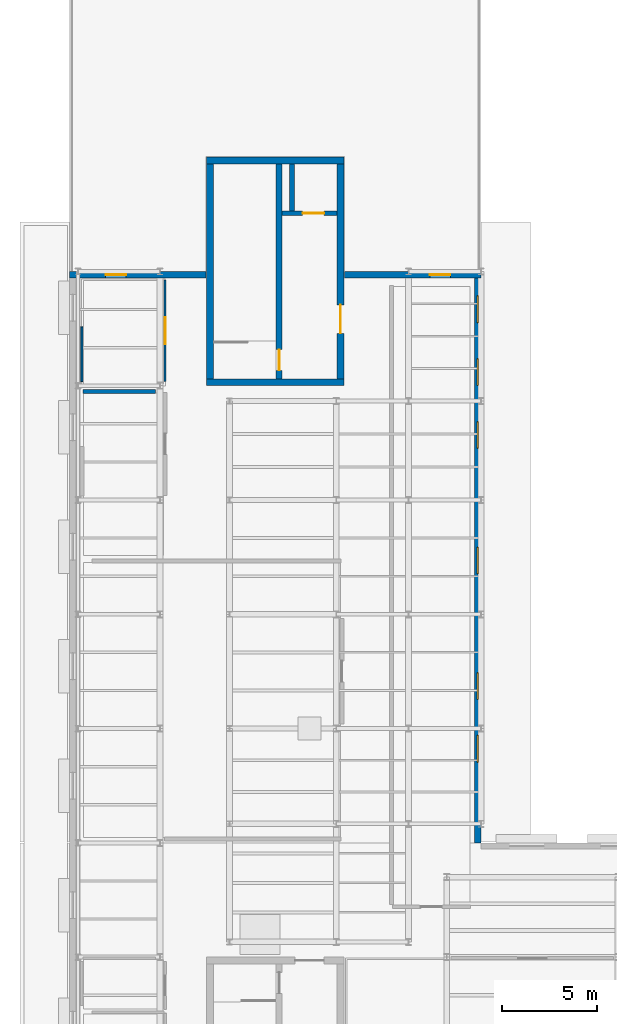
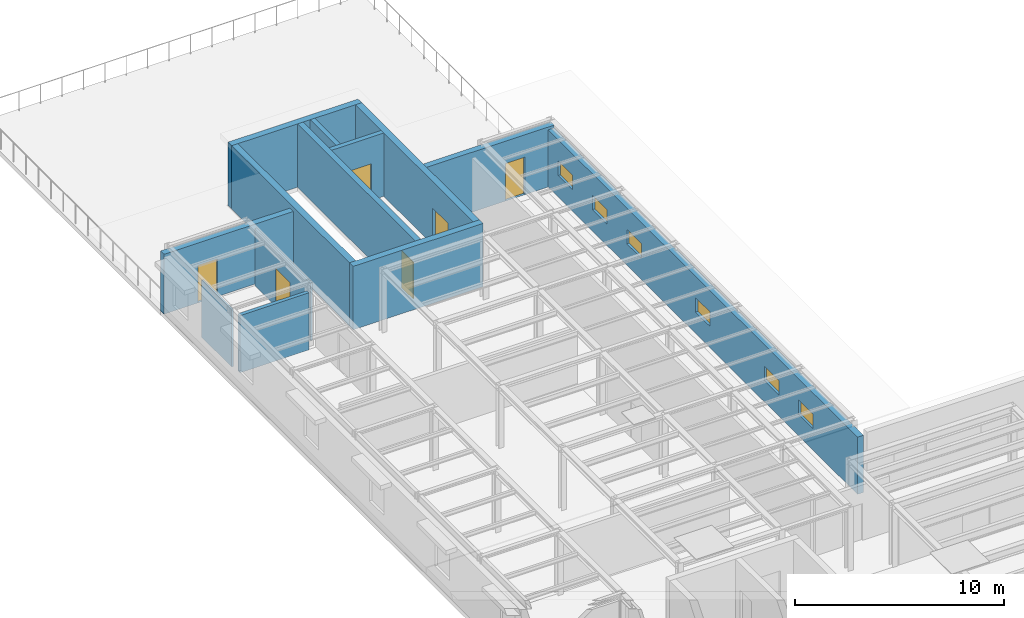
# One storey, part 9 of 10: 13 walls, 6 doors, 6 windows, 12 openings.
"""IFC4 building model written with IfcOpenShell, lengths in metres."""

from ifc_helpers import new_model, si_unit, direction, frame, frame_2d, origin, place, context, subcontext, project, spatial, rectangle, extrude, material, layer, layer_set, type_object, element, fill, save


model = new_model("IFC4")

# Units and contexts
model_context = context("Model", 3, precision=1e-05, world=origin(), true_north=direction((0.0, 1.0)))
body_context = subcontext(model_context, "Body", "Model", "MODEL_VIEW")
ifc_project = project(units=[si_unit("LENGTHUNIT", "METRE"), si_unit("AREAUNIT", "SQUARE_METRE"), si_unit("VOLUMEUNIT", "CUBIC_METRE"), si_unit("PLANEANGLEUNIT", "RADIAN"), si_unit("MASSUNIT", "GRAM", prefix="KILO")], contexts=[model_context])

# Site, building, storey
site_placement = place(None, origin())
site = spatial("IfcSite", under=ifc_project, at=site_placement, CompositionType="ELEMENT")
building_placement = place(site_placement, origin())
building = spatial("IfcBuilding", under=site, at=building_placement, Name="Kolvaren Corner Interchange", CompositionType="ELEMENT")
storey_placement = place(building_placement, frame((0.0, 0.0, 18.75)))
storey = spatial("IfcBuildingStorey", under=building, at=storey_placement, Name="L05", CompositionType="ELEMENT", Elevation=18.75)

# Walls
ifc_material_1 = material(Name="Concrete C35/45", Category="concrete")
ifc_layer_1 = layer(ifc_material_1, 0.35009765625)
ifc_layer_set_1 = layer_set([ifc_layer_1], Name="Concrete C35/45")
wall_type_1 = type_object("IfcWallType", Name="WL-CORE-350", PredefinedType="SHEAR", material=ifc_layer_set_1)
for number, where, z_axis, x_axis, name in (
    (1, (7.199951171875, 48.175048828125, 0.0), (0.0, 0.0, 1.0), (1.0, 0.0, 0.0), "Core C2 L05 South Shear Wall"),
    (2, (7.199951171875, 59.824951171875, 0.0), (0.0, 0.0, 1.0), (1.0, 0.0, 0.0), "Core C2 L05 North Shear Wall"),
):
    element("IfcWall", number, at=place(storey_placement, frame(where, z_axis=z_axis, x_axis=x_axis)), inside=storey, type_object=wall_type_1, Name=name, PredefinedType="SHEAR", context=body_context, shape_type="SweptSolid", body=[
        extrude(rectangle(XDim=7.199951171875, YDim=0.35009765625, at=frame_2d((3.60009765625, 0.0))), origin(), (0.0, 0.0, 1.0), 3.7099609375),
    ])
wall_1_placement = place(storey_placement, frame((7.375, 48.35009765625, 0.0), z_axis=(0.0, 0.0, 1.0), x_axis=(0.0, 1.0, 0.0)))
element("IfcWall", 3, at=wall_1_placement, inside=storey, type_object=wall_type_1, Name="Core C2 L05 West Shear Wall", PredefinedType="SHEAR", context=body_context, shape_type="SweptSolid", body=[
    extrude(rectangle(XDim=11.2998046875, YDim=0.35009765625, at=frame_2d((5.64990234375, 0.0))), origin(), (0.0, 0.0, 1.0), 3.7099609375),
])

# Wall, opening, door
wall_2_placement = place(storey_placement, frame((14.22509765625, 48.35009765625, 0.0), z_axis=(0.0, 0.0, 1.0), x_axis=(0.0, 1.0, 0.0)))
wall_2 = element("IfcWall", 4, at=wall_2_placement, inside=storey, type_object=wall_type_1, Name="Core C2 L05 East Shear Wall", PredefinedType="SHEAR", context=body_context, shape_type="SweptSolid", body=[
    extrude(rectangle(XDim=11.2998046875, YDim=0.35009765625, at=frame_2d((5.64990234375, 0.0))), origin(), (0.0, 0.0, 1.0), 3.7099609375),
])
opening_1_placement = place(wall_2_placement, frame((2.39990234375, 0.0, 0.0)))
opening_1 = element("IfcOpeningElement", 5, at=opening_1_placement, cuts=wall_2, Name="Opening D-F02", PredefinedType="OPENING", context=body_context, shape_type="SweptSolid", body=[
    extrude(rectangle(XDim=1.5, YDim=2.14990234375, at=frame_2d((0.75, 1.074951171875))), frame((0.0, 0.18505859375, 0.0), z_axis=(0.0, -1.0, 0.0), x_axis=(1.0, 0.0, 0.0)), (0.0, 0.0, 1.0), 0.3701171875),
])
ifc_material_2 = material(Name="Powder-coated Fire-rated Steel Sheet", Category="steel")
door_type_1 = type_object("IfcDoorType", Name="DT-FD-1500x2150", OperationType="NOTDEFINED", PredefinedType="DOOR", material=ifc_material_2)
door_1_placement = place(opening_1_placement, origin())
door_1 = element("IfcDoor", 6, at=door_1_placement, inside=storey, type_object=door_type_1, Name="Core C2 L05 Firefighting Lobby Corridor Exit Door", OperationType="DOUBLE_DOOR_SINGLE_SWING", OverallHeight=2.14990234375, OverallWidth=1.5, PredefinedType="DOOR", context=body_context, shape_type="SweptSolid", body=[
    extrude(rectangle(XDim=1.5, YDim=2.14990234375, at=frame_2d((0.75, 1.074951171875))), frame((0.0, 0.02490234375, 0.0), z_axis=(0.0, -1.0, 0.0), x_axis=(1.0, 0.0, 0.0)), (0.0, 0.0, 1.0), 0.050048828125),
])
fill(opening_1, door_1)

ifc_material_3 = material(Name="Concrete C35/45", Category="concrete")
ifc_layer_2 = layer(ifc_material_3, 0.31005859375)
ifc_layer_set_2 = layer_set([ifc_layer_2], Name="Concrete C35/45")
wall_type_2 = type_object("IfcWallType", Name="WL-STAIR-300", PredefinedType="SHEAR", material=ifc_layer_set_2)
wall_3_placement = place(storey_placement, frame((11.0, 48.35009765625, 0.0), z_axis=(0.0, 0.0, 1.0), x_axis=(0.0, 1.0, 0.0)))
wall_3 = element("IfcWall", 7, at=wall_3_placement, inside=storey, type_object=wall_type_2, Name="Core C2 L05 Firefighting Stairwell Divider Wall", PredefinedType="SHEAR", context=body_context, shape_type="SweptSolid", body=[
    extrude(rectangle(XDim=11.2998046875, YDim=0.31005859375, at=frame_2d((5.64990234375, 0.0))), origin(), (0.0, 0.0, 1.0), 3.7099609375),
])
opening_2_placement = place(wall_3_placement, frame((0.449951171875, 0.0, 0.0)))
opening_2 = element("IfcOpeningElement", 8, at=opening_2_placement, cuts=wall_3, Name="Opening D-F03", PredefinedType="OPENING", context=body_context, shape_type="SweptSolid", body=[
    extrude(rectangle(XDim=1.10009765625, YDim=2.14990234375, at=frame_2d((0.550048828125, 1.074951171875))), frame((0.0, 0.1650390625, 0.0), z_axis=(0.0, -1.0, 0.0), x_axis=(1.0, 0.0, 0.0)), (0.0, 0.0, 1.0), 0.330078125),
])
ifc_material_4 = material(Name="Powder-coated Fire-rated Steel Sheet", Category="steel")
door_type_2 = type_object("IfcDoorType", Name="DT-FD-1100x2150", OperationType="NOTDEFINED", PredefinedType="DOOR", material=ifc_material_4)
door_2_placement = place(opening_2_placement, origin())
door_2 = element("IfcDoor", 9, at=door_2_placement, inside=storey, type_object=door_type_2, Name="Core C2 Northwest Firefighting Stair L05 Protected Exit Door", OperationType="SINGLE_SWING_LEFT", OverallHeight=2.14990234375, OverallWidth=1.10009765625, PredefinedType="DOOR", context=body_context, shape_type="SweptSolid", body=[
    extrude(rectangle(XDim=1.10009765625, YDim=2.14990234375, at=frame_2d((0.550048828125, 1.074951171875))), frame((0.0, 0.02490234375, 0.0), z_axis=(0.0, -1.0, 0.0), x_axis=(1.0, 0.0, 0.0)), (0.0, 0.0, 1.0), 0.050048828125),
])
fill(opening_2, door_2)

# Wall, openings, windows
ifc_material_5 = material(Name="Cream Architectural Terracotta Rainscreen Assembly", Category="masonry")
ifc_layer_3 = layer(ifc_material_5, 0.330078125)
ifc_layer_set_3 = layer_set([ifc_layer_3], Name="Cream Architectural Terracotta Rainscreen Assembly")
wall_type_3 = type_object("IfcWallType", Name="WT-EXT-TC320", PredefinedType="SOLIDWALL", material=ifc_layer_set_3)
wall_4_placement = place(storey_placement, frame((21.429931640625, 24.0, 0.0), z_axis=(0.0, 0.0, 1.0), x_axis=(0.0, 1.0, 0.0)))
wall_4 = element("IfcWall", 10, at=wall_4_placement, inside=storey, type_object=wall_type_3, Name="Level 05 Control Plant East Facade Wall 0055", PredefinedType="SOLIDWALL", context=body_context, shape_type="SweptSolid", body=[
    extrude(rectangle(XDim=29.659912109375, YDim=0.330078125, at=frame_2d((14.830078125, 0.0))), origin(), (0.0, 0.0, 1.0), 3.344970703125),
])
opening_3_placement = place(wall_4_placement, frame((4.243408203125, 0.0, 1.25)))
opening_3 = element("IfcOpeningElement", 11, at=opening_3_placement, cuts=wall_4, Name="Opening W-18", PredefinedType="OPENING", context=body_context, shape_type="SweptSolid", body=[
    extrude(rectangle(XDim=1.39990234375, YDim=0.85009765625, at=frame_2d((0.699951171875, 0.425048828125))), frame((0.0, 0.175048828125, 0.0), z_axis=(0.0, -1.0, 0.0), x_axis=(1.0, 0.0, 0.0)), (0.0, 0.0, 1.0), 0.35009765625),
])
opening_4_placement = place(wall_4_placement, frame((7.538818359375, 0.0, 1.25)))
opening_4 = element("IfcOpeningElement", 12, at=opening_4_placement, cuts=wall_4, Name="Opening W-18", PredefinedType="OPENING", context=body_context, shape_type="SweptSolid", body=[
    extrude(rectangle(XDim=1.39990234375, YDim=0.85009765625, at=frame_2d((0.699951171875, 0.425048828125))), frame((0.0, 0.175048828125, 0.0), z_axis=(0.0, -1.0, 0.0), x_axis=(1.0, 0.0, 0.0)), (0.0, 0.0, 1.0), 0.35009765625),
])
opening_5_placement = place(wall_4_placement, frame((14.1298828125, 0.0, 1.25)))
opening_5 = element("IfcOpeningElement", 13, at=opening_5_placement, cuts=wall_4, Name="Opening W-18", PredefinedType="OPENING", context=body_context, shape_type="SweptSolid", body=[
    extrude(rectangle(XDim=1.39990234375, YDim=0.85009765625, at=frame_2d((0.699951171875, 0.425048828125))), frame((0.0, 0.175048828125, 0.0), z_axis=(0.0, -1.0, 0.0), x_axis=(1.0, 0.0, 0.0)), (0.0, 0.0, 1.0), 0.35009765625),
])
opening_6_placement = place(wall_4_placement, frame((20.72119140625, 0.0, 1.25)))
opening_6 = element("IfcOpeningElement", 14, at=opening_6_placement, cuts=wall_4, Name="Opening W-18", PredefinedType="OPENING", context=body_context, shape_type="SweptSolid", body=[
    extrude(rectangle(XDim=1.39990234375, YDim=0.85009765625, at=frame_2d((0.699951171875, 0.425048828125))), frame((0.0, 0.175048828125, 0.0), z_axis=(0.0, -1.0, 0.0), x_axis=(1.0, 0.0, 0.0)), (0.0, 0.0, 1.0), 0.35009765625),
])
opening_7_placement = place(wall_4_placement, frame((24.0166015625, 0.0, 1.25)))
opening_7 = element("IfcOpeningElement", 15, at=opening_7_placement, cuts=wall_4, Name="Opening W-18", PredefinedType="OPENING", context=body_context, shape_type="SweptSolid", body=[
    extrude(rectangle(XDim=1.39990234375, YDim=0.85009765625, at=frame_2d((0.699951171875, 0.425048828125))), frame((0.0, 0.175048828125, 0.0), z_axis=(0.0, -1.0, 0.0), x_axis=(1.0, 0.0, 0.0)), (0.0, 0.0, 1.0), 0.35009765625),
])
opening_8_placement = place(wall_4_placement, frame((27.312255859375, 0.0, 1.25)))
opening_8 = element("IfcOpeningElement", 16, at=opening_8_placement, cuts=wall_4, Name="Opening W-18", PredefinedType="OPENING", context=body_context, shape_type="SweptSolid", body=[
    extrude(rectangle(XDim=1.39990234375, YDim=0.85009765625, at=frame_2d((0.699951171875, 0.425048828125))), frame((0.0, 0.175048828125, 0.0), z_axis=(0.0, -1.0, 0.0), x_axis=(1.0, 0.0, 0.0)), (0.0, 0.0, 1.0), 0.35009765625),
])
ifc_material_6 = material(Name="Thermally Broken Aluminium and Solar-Control Double Glazing", Category="aluminium")
window_type = type_object("IfcWindowType", Name="WT-RIB-1400x850", PartitioningType="SINGLE_PANEL", PredefinedType="WINDOW", material=ifc_material_6)
window_1_placement = place(opening_3_placement, origin())
window_1 = element("IfcWindow", 17, at=window_1_placement, inside=storey, type_object=window_type, Name="L05 Level 05 Control Plant East Facade Window 0128", OverallHeight=0.85009765625, OverallWidth=1.39990234375, PartitioningType="SINGLE_PANEL", PredefinedType="WINDOW", context=body_context, shape_type="SweptSolid", body=[
    extrude(rectangle(XDim=1.39990234375, YDim=0.85009765625, at=frame_2d((0.699951171875, 0.425048828125))), frame((0.0, 0.030029296875, 0.0), z_axis=(0.0, -1.0, 0.0), x_axis=(1.0, 0.0, 0.0)), (0.0, 0.0, 1.0), 0.06005859375),
])
fill(opening_3, window_1)
window_2_placement = place(opening_4_placement, origin())
window_2 = element("IfcWindow", 18, at=window_2_placement, inside=storey, type_object=window_type, Name="L05 Level 05 Control Plant East Facade Window 0129", OverallHeight=0.85009765625, OverallWidth=1.39990234375, PartitioningType="SINGLE_PANEL", PredefinedType="WINDOW", context=body_context, shape_type="SweptSolid", body=[
    extrude(rectangle(XDim=1.39990234375, YDim=0.85009765625, at=frame_2d((0.699951171875, 0.425048828125))), frame((0.0, 0.030029296875, 0.0), z_axis=(0.0, -1.0, 0.0), x_axis=(1.0, 0.0, 0.0)), (0.0, 0.0, 1.0), 0.06005859375),
])
fill(opening_4, window_2)
window_3_placement = place(opening_5_placement, origin())
window_3 = element("IfcWindow", 19, at=window_3_placement, inside=storey, type_object=window_type, Name="L05 Level 05 Control Plant East Facade Window 0130", OverallHeight=0.85009765625, OverallWidth=1.39990234375, PartitioningType="SINGLE_PANEL", PredefinedType="WINDOW", context=body_context, shape_type="SweptSolid", body=[
    extrude(rectangle(XDim=1.39990234375, YDim=0.85009765625, at=frame_2d((0.699951171875, 0.425048828125))), frame((0.0, 0.030029296875, 0.0), z_axis=(0.0, -1.0, 0.0), x_axis=(1.0, 0.0, 0.0)), (0.0, 0.0, 1.0), 0.06005859375),
])
fill(opening_5, window_3)
window_4_placement = place(opening_6_placement, origin())
window_4 = element("IfcWindow", 20, at=window_4_placement, inside=storey, type_object=window_type, Name="L05 Level 05 Control Plant East Facade Window 0131", OverallHeight=0.85009765625, OverallWidth=1.39990234375, PartitioningType="SINGLE_PANEL", PredefinedType="WINDOW", context=body_context, shape_type="SweptSolid", body=[
    extrude(rectangle(XDim=1.39990234375, YDim=0.85009765625, at=frame_2d((0.699951171875, 0.425048828125))), frame((0.0, 0.030029296875, 0.0), z_axis=(0.0, -1.0, 0.0), x_axis=(1.0, 0.0, 0.0)), (0.0, 0.0, 1.0), 0.06005859375),
])
fill(opening_6, window_4)
window_5_placement = place(opening_7_placement, origin())
window_5 = element("IfcWindow", 21, at=window_5_placement, inside=storey, type_object=window_type, Name="L05 Level 05 Control Plant East Facade Window 0132", OverallHeight=0.85009765625, OverallWidth=1.39990234375, PartitioningType="SINGLE_PANEL", PredefinedType="WINDOW", context=body_context, shape_type="SweptSolid", body=[
    extrude(rectangle(XDim=1.39990234375, YDim=0.85009765625, at=frame_2d((0.699951171875, 0.425048828125))), frame((0.0, 0.030029296875, 0.0), z_axis=(0.0, -1.0, 0.0), x_axis=(1.0, 0.0, 0.0)), (0.0, 0.0, 1.0), 0.06005859375),
])
fill(opening_7, window_5)
window_6_placement = place(opening_8_placement, origin())
window_6 = element("IfcWindow", 22, at=window_6_placement, inside=storey, type_object=window_type, Name="L05 Level 05 Control Plant East Facade Window 0133", OverallHeight=0.85009765625, OverallWidth=1.39990234375, PartitioningType="SINGLE_PANEL", PredefinedType="WINDOW", context=body_context, shape_type="SweptSolid", body=[
    extrude(rectangle(XDim=1.39990234375, YDim=0.85009765625, at=frame_2d((0.699951171875, 0.425048828125))), frame((0.0, 0.030029296875, 0.0), z_axis=(0.0, -1.0, 0.0), x_axis=(1.0, 0.0, 0.0)), (0.0, 0.0, 1.0), 0.06005859375),
])
fill(opening_8, window_6)

# Wall, opening, door
wall_5_placement = place(storey_placement, frame((21.60009765625, 53.830078125, 0.0), z_axis=(0.0, 0.0, 1.0), x_axis=(-1.0, 0.0, 0.0)))
wall_5 = element("IfcWall", 23, at=wall_5_placement, inside=storey, type_object=wall_type_3, Name="Level 05 East Terrace Return Wall 0056", PredefinedType="SOLIDWALL", context=body_context, shape_type="SweptSolid", body=[
    extrude(rectangle(XDim=7.16015625, YDim=0.330078125, at=frame_2d((3.580078125, 0.0))), origin(), (0.0, 0.0, 1.0), 3.5048828125),
])
opening_9_placement = place(wall_5_placement, frame((1.60791015625, 0.0, 0.0)))
opening_9 = element("IfcOpeningElement", 24, at=opening_9_placement, cuts=wall_5, Name="Opening D-E05", PredefinedType="OPENING", context=body_context, shape_type="SweptSolid", body=[
    extrude(rectangle(XDim=1.080078125, YDim=2.199951171875, at=frame_2d((0.5400390625, 1.10009765625))), frame((0.0, 0.175048828125, 0.0), z_axis=(0.0, -1.0, 0.0), x_axis=(1.0, 0.0, 0.0)), (0.0, 0.0, 1.0), 0.35009765625),
])
ifc_material_7 = material(Name="Thermally Broken Aluminium Glazed Terrace Door", Category="aluminium")
door_type_3 = type_object("IfcDoorType", Name="DT-TERR-SGL1080", OperationType="NOTDEFINED", PredefinedType="DOOR", material=ifc_material_7)
door_3_placement = place(opening_9_placement, origin())
door_3 = element("IfcDoor", 25, at=door_3_placement, inside=storey, type_object=door_type_3, Name="L05 Observation Terrace Corridor Door 008", OperationType="SINGLE_SWING_RIGHT", OverallHeight=2.199951171875, OverallWidth=1.080078125, PredefinedType="DOOR", context=body_context, shape_type="SweptSolid", body=[
    extrude(rectangle(XDim=1.080078125, YDim=2.199951171875, at=frame_2d((0.5400390625, 1.10009765625))), frame((0.0, 0.02490234375, 0.0), z_axis=(0.0, -1.0, 0.0), x_axis=(1.0, 0.0, 0.0)), (0.0, 0.0, 1.0), 0.050048828125),
])
fill(opening_9, door_3)

wall_6_placement = place(storey_placement, frame((7.159912109375, 53.830078125, 0.0), z_axis=(0.0, 0.0, 1.0), x_axis=(-1.0, 0.0, 0.0)))
wall_6 = element("IfcWall", 26, at=wall_6_placement, inside=storey, type_object=wall_type_3, Name="Level 05 Observation Foyer Facade Wall 0057", PredefinedType="SOLIDWALL", context=body_context, shape_type="SweptSolid", body=[
    extrude(rectangle(XDim=7.159912109375, YDim=0.330078125, at=frame_2d((3.580078125, 0.0))), origin(), (0.0, 0.0, 1.0), 3.5048828125),
])
opening_10_placement = place(wall_6_placement, frame((4.185546875, 0.0, 0.0)))
opening_10 = element("IfcOpeningElement", 27, at=opening_10_placement, cuts=wall_6, Name="Opening D-E05", PredefinedType="OPENING", context=body_context, shape_type="SweptSolid", body=[
    extrude(rectangle(XDim=1.080078125, YDim=2.199951171875, at=frame_2d((0.5400390625, 1.10009765625))), frame((0.0, 0.175048828125, 0.0), z_axis=(0.0, -1.0, 0.0), x_axis=(1.0, 0.0, 0.0)), (0.0, 0.0, 1.0), 0.35009765625),
])
door_4_placement = place(opening_10_placement, origin())
door_4 = element("IfcDoor", 28, at=door_4_placement, inside=storey, type_object=door_type_3, Name="L05 Observation Terrace Foyer Door 009", OperationType="SINGLE_SWING_LEFT", OverallHeight=2.199951171875, OverallWidth=1.080078125, PredefinedType="DOOR", context=body_context, shape_type="SweptSolid", body=[
    extrude(rectangle(XDim=1.080078125, YDim=2.199951171875, at=frame_2d((0.5400390625, 1.10009765625))), frame((0.0, 0.02490234375, 0.0), z_axis=(0.0, -1.0, 0.0), x_axis=(1.0, 0.0, 0.0)), (0.0, 0.0, 1.0), 0.050048828125),
])
fill(opening_10, door_4)

# Wall
ifc_material_8 = material(Name="Fire-Rated Gypsum Block Partition")
ifc_layer_4 = layer(ifc_material_8, 0.199951171875)
ifc_layer_set_4 = layer_set([ifc_layer_4], Name="Fire-Rated Gypsum Block Partition")
wall_type_4 = type_object("IfcWallType", Name="WT-PART-FR200", PredefinedType="PARTITIONING", material=ifc_layer_set_4)
wall_7_placement = place(storey_placement, frame((4.52001953125, 47.699951171875, 0.0), z_axis=(0.0, 0.0, 1.0), x_axis=(-1.0, 0.0, 0.0)))
element("IfcWall", 29, at=wall_7_placement, inside=storey, type_object=wall_type_4, Name="L05 Control Room Redundant UPS Room Partition Wall 198", PredefinedType="PARTITIONING", context=body_context, shape_type="SweptSolid", body=[
    extrude(rectangle(XDim=3.820068359375, YDim=0.199951171875, at=frame_2d((1.91015625, 0.0))), origin(), (0.0, 0.0, 1.0), 3.344970703125),
])

# Wall, opening, door
ifc_material_9 = material(Name="Framed Acoustic Glazed Office Screen")
ifc_layer_5 = layer(ifc_material_9, 0.10009765625)
ifc_layer_set_5 = layer_set([ifc_layer_5], Name="Framed Acoustic Glazed Office Screen")
wall_type_5 = type_object("IfcWallType", Name="WT-PART-GL100", PredefinedType="MOVABLE", material=ifc_layer_set_5)
wall_8_placement = place(storey_placement, frame((5.02001953125, 48.22998046875, 0.0), z_axis=(0.0, 0.0, 1.0), x_axis=(0.0, 1.0, 0.0)))
wall_8 = element("IfcWall", 30, at=wall_8_placement, inside=storey, type_object=wall_type_5, Name="L05 Observation Terrace Foyer Partition Wall 200", PredefinedType="MOVABLE", context=body_context, shape_type="SweptSolid", body=[
    extrude(rectangle(XDim=5.320068359375, YDim=0.10009765625, at=frame_2d((2.66015625, 0.0))), origin(), (0.0, 0.0, 1.0), 3.344970703125),
])
opening_11_placement = place(wall_8_placement, frame((1.9599609375, 0.0, 0.0)))
opening_11 = element("IfcOpeningElement", 31, at=opening_11_placement, cuts=wall_8, Name="Opening D-I06", PredefinedType="OPENING", context=body_context, shape_type="SweptSolid", body=[
    extrude(rectangle(XDim=1.39990234375, YDim=2.199951171875, at=frame_2d((0.699951171875, 1.10009765625))), frame((0.0, 0.06005859375, 0.0), z_axis=(0.0, -1.0, 0.0), x_axis=(1.0, 0.0, 0.0)), (0.0, 0.0, 1.0), 0.1201171875),
])
ifc_material_10 = material(Name="Anodised Aluminium Glazed Suite Door", Category="aluminium")
door_type_4 = type_object("IfcDoorType", Name="DT-INT-1400x2200", OperationType="NOTDEFINED", PredefinedType="DOOR", material=ifc_material_10)
door_5_placement = place(opening_11_placement, origin())
door_5 = element("IfcDoor", 32, at=door_5_placement, inside=storey, type_object=door_type_4, Name="L05 Observation Terrace Foyer Door", OperationType="DOUBLE_DOOR_SINGLE_SWING", OverallHeight=2.199951171875, OverallWidth=1.39990234375, PredefinedType="DOOR", context=body_context, shape_type="SweptSolid", body=[
    extrude(rectangle(XDim=1.39990234375, YDim=2.199951171875, at=frame_2d((0.699951171875, 1.10009765625))), frame((0.0, 0.02490234375, 0.0), z_axis=(0.0, -1.0, 0.0), x_axis=(1.0, 0.0, 0.0)), (0.0, 0.0, 1.0), 0.050048828125),
])
fill(opening_11, door_5)

# Wall
wall_9_placement = place(storey_placement, frame((0.64990234375, 51.091796875, 0.0), z_axis=(0.0, 0.0, 1.0), x_axis=(0.0, -1.0, 0.0)))
element("IfcWall", 33, at=wall_9_placement, inside=storey, type_object=wall_type_5, Name="L05 Observation Terrace Foyer Partition Wall 201", PredefinedType="MOVABLE", context=body_context, shape_type="SweptSolid", body=[
    extrude(rectangle(XDim=2.871826171875, YDim=0.10009765625, at=frame_2d((1.43603515625, 0.0))), origin(), (0.0, 0.0, 1.0), 3.344970703125),
])

# Wall, opening, door
ifc_material_11 = material(Name="Concrete C35/45", Category="concrete")
ifc_layer_6 = layer(ifc_material_11, 0.25)
ifc_layer_set_6 = layer_set([ifc_layer_6], Name="Concrete C35/45")
wall_type_6 = type_object("IfcWallType", Name="WT-SHAFT-RC250", PredefinedType="SHEAR", material=ifc_layer_set_6)
wall_10_placement = place(storey_placement, frame((11.155029296875, 57.050048828125, 0.0), z_axis=(0.0, 0.0, 1.0), x_axis=(1.0, 0.0, 0.0)))
wall_10 = element("IfcWall", 34, at=wall_10_placement, inside=storey, type_object=wall_type_6, Name="Core C2 L05 Firefighting Lift Front Shaft Wall", PredefinedType="SHEAR", context=body_context, shape_type="SweptSolid", body=[
    extrude(rectangle(XDim=2.89501953125, YDim=0.25, at=frame_2d((1.447509765625, 0.0))), origin(), (0.0, 0.0, 1.0), 3.7099609375),
])
opening_12_placement = place(wall_10_placement, frame((1.0849609375, 0.0, 0.0)))
opening_12 = element("IfcOpeningElement", 35, at=opening_12_placement, cuts=wall_10, Name="Opening LD-LF-FF2-L05", PredefinedType="OPENING", context=body_context, shape_type="SweptSolid", body=[
    extrude(rectangle(XDim=1.1201171875, YDim=2.14990234375, at=frame_2d((0.56005859375, 1.074951171875))), frame((0.0, 0.135009765625, 0.0), z_axis=(0.0, -1.0, 0.0), x_axis=(1.0, 0.0, 0.0)), (0.0, 0.0, 1.0), 0.27001953125),
])
ifc_material_12 = material(Name="Brushed Stainless Steel Landing Door", Category="steel")
door_type_5 = type_object("IfcDoorType", Name="DT-LIFT-1120", OperationType="NOTDEFINED", PredefinedType="DOOR", material=ifc_material_12)
door_6_placement = place(opening_12_placement, origin())
door_6 = element("IfcDoor", 36, at=door_6_placement, inside=storey, type_object=door_type_5, Name="Firefighting Lift LF-FF2 L05 Sliding Landing Door", OperationType="SLIDING_TO_LEFT", OverallHeight=2.14990234375, OverallWidth=1.1201171875, PredefinedType="DOOR", context=body_context, shape_type="SweptSolid", body=[
    extrude(rectangle(XDim=1.1201171875, YDim=2.14990234375, at=frame_2d((0.56005859375, 1.074951171875))), frame((0.0, 0.02490234375, 0.0), z_axis=(0.0, -1.0, 0.0), x_axis=(1.0, 0.0, 0.0)), (0.0, 0.0, 1.0), 0.050048828125),
])
fill(opening_12, door_6)

# Wall
wall_11_placement = place(storey_placement, frame((11.675048828125, 57.175048828125, 0.0), z_axis=(0.0, 0.0, 1.0), x_axis=(0.0, 1.0, 0.0)))
element("IfcWall", 37, at=wall_11_placement, inside=storey, type_object=wall_type_6, Name="Core C2 L05 Firefighting Lift Side Shaft Wall", PredefinedType="SHEAR", context=body_context, shape_type="SweptSolid", body=[
    extrude(rectangle(XDim=2.474853515625, YDim=0.25, at=frame_2d((1.2373046875, 0.0))), origin(), (0.0, 0.0, 1.0), 3.7099609375),
])

save(model, "model.ifc")
